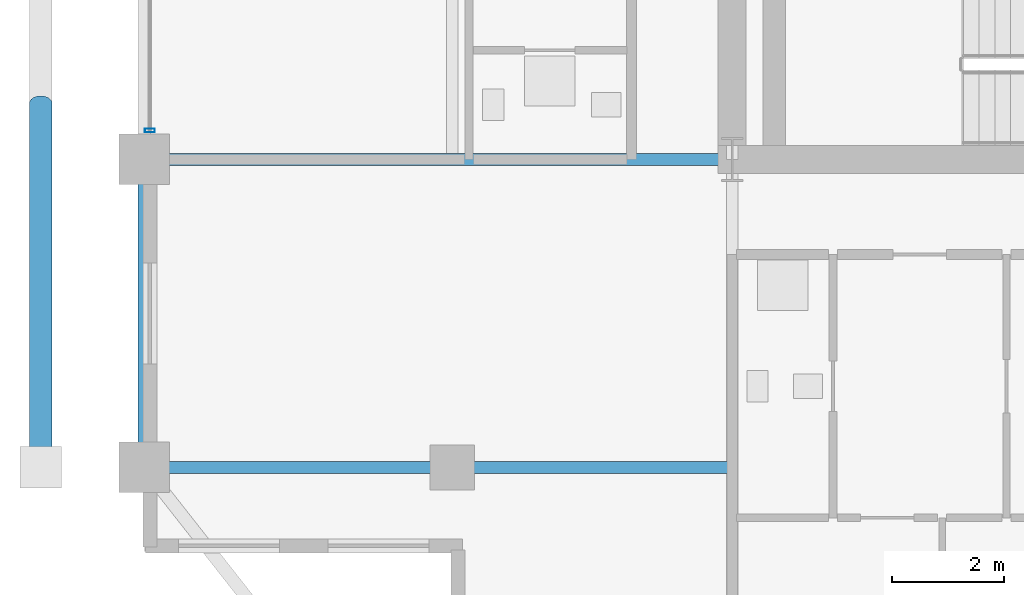
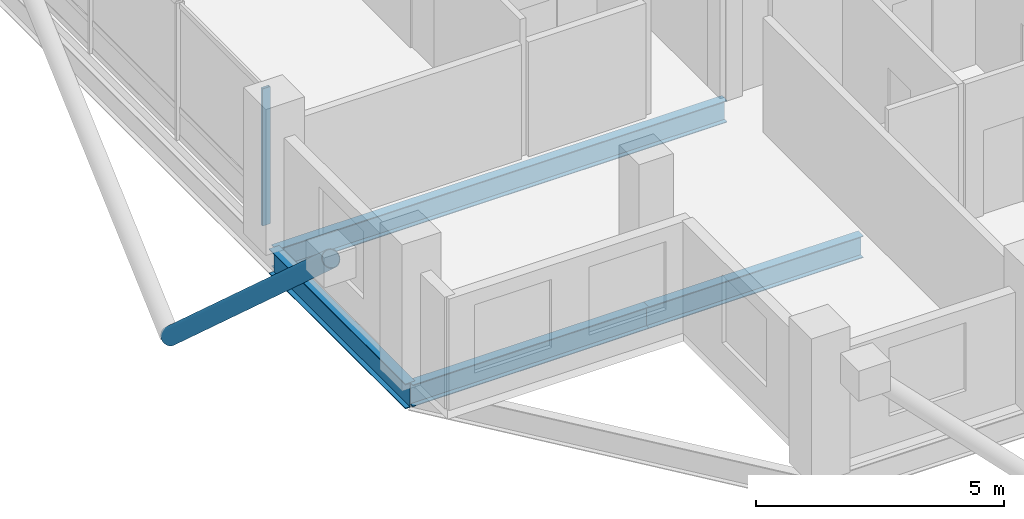
# One storey, part 3 of 24: 4 beams, 2 members, 1 element without a shape of its own.
"""IFC4 building model written with IfcOpenShell, lengths in metres."""

from ifc_helpers import new_model, si_unit, direction, frame, origin, origin_2d, place, context, subcontext, project, spatial, hollow_rectangle, hollow_circle, i_section, extrude, material, layer, layer_set, material_profile, profile_set, type_object, element, aggregate, save


model = new_model("IFC4")

# Units and contexts
model_context = context("Model", 3, precision=1e-05, world=origin(), true_north=direction((0.0, 1.0)))
body_context = subcontext(model_context, "Body", "Model", "MODEL_VIEW")
ifc_project = project(units=[si_unit("LENGTHUNIT", "METRE"), si_unit("AREAUNIT", "SQUARE_METRE"), si_unit("VOLUMEUNIT", "CUBIC_METRE"), si_unit("PLANEANGLEUNIT", "RADIAN"), si_unit("MASSUNIT", "GRAM", prefix="KILO")], contexts=[model_context])

# Site, building, storey
site_placement = place(None, origin())
site = spatial("IfcSite", under=ifc_project, at=site_placement, CompositionType="ELEMENT")
building_placement = place(site_placement, origin())
building = spatial("IfcBuilding", under=site, at=building_placement, Name="Barlavira Tower and Art Museum", CompositionType="ELEMENT")
storey_placement = place(building_placement, frame((0.0, 0.0, 225.89990234375)))
storey = spatial("IfcBuildingStorey", under=building, at=storey_placement, Name="L58", CompositionType="ELEMENT", Elevation=225.89990234375)

# Curtain wall, member
ifc_material_1 = material(Name="Low-iron coastal laminated glass", Category="glass")
ifc_layer = layer(ifc_material_1, 0.2099609375, Name="Low-iron coastal laminated glass")
ifc_layer_set = layer_set([ifc_layer], Name="Low-iron coastal laminated glass")
curtain_wall_type = type_object("IfcCurtainWallType", Name="Pale-Metal Unitised Curtain Wall Zone 4", PredefinedType="NOTDEFINED", material=ifc_layer_set)
curtain_wall_placement = place(storey_placement, origin())
curtain_wall = element("IfcCurtainWall", 1, at=curtain_wall_placement, inside=storey, type_object=curtain_wall_type, Name="L58 Curtain Wall CW4-L58-W-B3", PredefinedType="NOTDEFINED")
ifc_material_2 = material(Name="Pale anodised aluminium", Category="aluminium")
ifc_material_profile_1 = material_profile(ifc_material_2, hollow_rectangle(XDim=0.06494140625, YDim=0.179931640625, WallThickness=0.00390625, at=origin_2d()), Name="ALU-MULL 65x180x4")
ifc_profile_set_1 = profile_set([ifc_material_profile_1], Name="Pale anodised aluminium")
member_type_1 = type_object("IfcMemberType", Name="Curtain Wall Pale-Metal Mullion 65x180", PredefinedType="MULLION", material=ifc_profile_set_1)
member_1_placement = place(storey_placement, frame((-16.89990234375, -6.985107421875, 0.0), z_axis=(0.0, 0.0, 1.0), x_axis=(0.0, -1.0, 0.0)))
member_1 = element("IfcMember", 2, at=member_1_placement, type_object=member_type_1, Name="CW4-L58-W-B3 Mullion 4", PredefinedType="MULLION", context=body_context, shape_type="SweptSolid", body=[
    extrude(hollow_rectangle(XDim=0.06494140625, YDim=0.179931640625, WallThickness=0.00390625, at=origin_2d()), origin(), (0.0, 0.0, 1.0), 3.380126953125),
])
aggregate(curtain_wall, [member_1])

# Member
ifc_material_3 = material(Name="Steel S355", Category="steel")
ifc_material_profile_2 = material_profile(ifc_material_3, hollow_circle(Radius=0.203125, WallThickness=0.01611328125, at=origin_2d()), Name="CHS 406.4x16.0")
ifc_profile_set_2 = profile_set([ifc_material_profile_2], Name="Steel S355")
member_type_2 = type_object("IfcMemberType", Name="Pale-Metal Exoskeleton Diagrid Tube CHS 406x16 Steel S355", PredefinedType="BRACE", material=ifc_profile_set_2)
member_2_placement = place(storey_placement, frame((-18.85009765625, -6.5, -2.369873046875), z_axis=(0.0, -0.74330247547, 0.668955476815), x_axis=(1.0, 0.0, 0.0)))
element("IfcMember", 3, at=member_2_placement, inside=storey, type_object=member_type_2, Name="L58 Exoskeleton Diagrid Tube W", PredefinedType="BRACE", context=body_context, shape_type="SweptSolid", body=[
    extrude(hollow_circle(Radius=0.203125, WallThickness=0.01611328125, at=origin_2d()), origin(), (0.0, 0.0, 1.0), 8.744873046875),
])

# Beams
ifc_material_profile_3 = material_profile(ifc_material_3, i_section(OverallWidth=0.22998046875, OverallDepth=0.616943359375, WebThickness=0.01318359375, FlangeThickness=0.022216796875, at=origin_2d()), Name="W610x140.0")
ifc_profile_set_3 = profile_set([ifc_material_profile_3], Name="Steel S355")
beam_type_1 = type_object("IfcBeamType", Name="Upper Shaft Spandrel Edge Beam W610x140 Steel S355", PredefinedType="SPANDREL", material=ifc_profile_set_3)
beam_1_placement = place(storey_placement, frame((-17.0, -13.0, -0.5283203125), z_axis=(0.0, 1.0, 0.0), x_axis=(-1.0, 0.0, 0.0)))
element("IfcBeam", 4, at=beam_1_placement, inside=storey, type_object=beam_type_1, Name="L58 Spandrel 15", PredefinedType="SPANDREL", context=body_context, shape_type="SweptSolid", body=[
    extrude(i_section(OverallWidth=0.22998046875, OverallDepth=0.616943359375, WebThickness=0.01318359375, FlangeThickness=0.022216796875, at=origin_2d()), origin(), (0.0, 0.0, 1.0), 5.5),
])
ifc_material_profile_4 = material_profile(ifc_material_3, i_section(OverallWidth=0.2109375, OverallDepth=0.5390625, WebThickness=0.01171875, FlangeThickness=0.018798828125, at=origin_2d()), Name="W530x109.0")
ifc_profile_set_4 = profile_set([ifc_material_profile_4], Name="Steel S355")
beam_type_2 = type_object("IfcBeamType", Name="Zone 3-4 Primary Floor Girder W530x109 Steel S355", PredefinedType="BEAM", material=ifc_profile_set_4)
beam_2_placement = place(storey_placement, frame((-17.0, -7.5, -0.489501953125), z_axis=(1.0, 0.0, 0.0), x_axis=(0.0, 1.0, 0.0)))
element("IfcBeam", 5, at=beam_2_placement, inside=storey, type_object=beam_type_2, Name="L58 Girder R-W1", PredefinedType="BEAM", context=body_context, shape_type="SweptSolid", body=[
    extrude(i_section(OverallWidth=0.2109375, OverallDepth=0.5390625, WebThickness=0.01171875, FlangeThickness=0.018798828125, at=origin_2d()), origin(), (0.0, 0.0, 1.0), 10.5),
])
beam_3_placement = place(storey_placement, frame((-17.0, -13.0, -0.489501953125), z_axis=(1.0, 0.0, 0.0), x_axis=(0.0, 1.0, 0.0)))
element("IfcBeam", 6, at=beam_3_placement, inside=storey, type_object=beam_type_2, Name="L58 Girder I-S1", PredefinedType="BEAM", context=body_context, shape_type="SweptSolid", body=[
    extrude(i_section(OverallWidth=0.2109375, OverallDepth=0.5390625, WebThickness=0.01171875, FlangeThickness=0.018798828125, at=origin_2d()), origin(), (0.0, 0.0, 1.0), 5.5),
])
beam_4_placement = place(storey_placement, frame((-11.5, -13.0, -0.489501953125), z_axis=(1.0, 0.0, 0.0), x_axis=(0.0, 1.0, 0.0)))
element("IfcBeam", 7, at=beam_4_placement, inside=storey, type_object=beam_type_2, Name="L58 Girder I-S2", PredefinedType="BEAM", context=body_context, shape_type="SweptSolid", body=[
    extrude(i_section(OverallWidth=0.2109375, OverallDepth=0.5390625, WebThickness=0.01171875, FlangeThickness=0.018798828125, at=origin_2d()), origin(), (0.0, 0.0, 1.0), 5.0),
])

save(model, "model.ifc")
